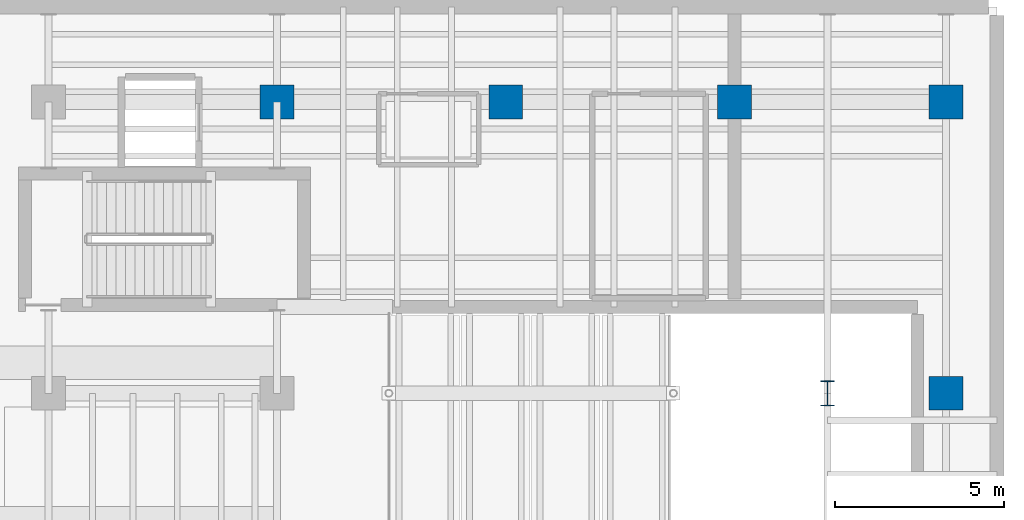
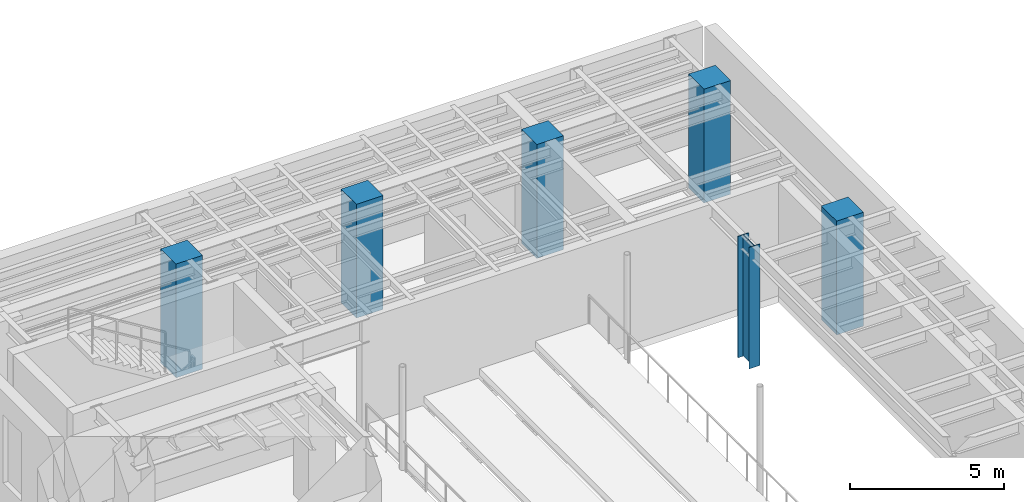
# One storey, part 6 of 24: 6 columns.
"""IFC4 building model written with IfcOpenShell, lengths in metres."""

from ifc_helpers import new_model, si_unit, direction, frame, origin, origin_2d, place, context, subcontext, project, spatial, rectangle, i_section, extrude, material, material_profile, profile_set, type_object, element, save


model = new_model("IFC4")

# Units and contexts
model_context = context("Model", 3, precision=1e-05, world=origin(), true_north=direction((0.0, 1.0)))
body_context = subcontext(model_context, "Body", "Model", "MODEL_VIEW")
ifc_project = project(units=[si_unit("LENGTHUNIT", "METRE"), si_unit("AREAUNIT", "SQUARE_METRE"), si_unit("VOLUMEUNIT", "CUBIC_METRE"), si_unit("PLANEANGLEUNIT", "RADIAN"), si_unit("MASSUNIT", "GRAM", prefix="KILO")], contexts=[model_context])

# Site, building, storey
site_placement = place(None, origin())
site = spatial("IfcSite", under=ifc_project, at=site_placement, CompositionType="ELEMENT")
building_placement = place(site_placement, origin())
building = spatial("IfcBuilding", under=site, at=building_placement, Name="Korentha Bioscience Tower", CompositionType="ELEMENT")
storey_placement = place(building_placement, frame((0.0, 0.0, 5.39990234375)))
storey = spatial("IfcBuildingStorey", under=building, at=storey_placement, Name="L01", CompositionType="ELEMENT", Elevation=5.39990234375)

# Columns
ifc_material_1 = material(Name="Steel S355", Category="steel")
ifc_material_profile_1 = material_profile(ifc_material_1, i_section(OverallWidth=0.39990234375, OverallDepth=0.75, WebThickness=0.01611328125, FlangeThickness=0.028076171875, at=origin_2d()), Name="Steel S355")
ifc_profile_set_1 = profile_set([ifc_material_profile_1], Name="Steel S355 (TC-02)")
column_type_1 = type_object("IfcColumnType", Name="Theatre Fly-Tower Column CVS 750x256", PredefinedType="COLUMN", material=ifc_profile_set_1)
column_placement = place(storey_placement, frame((89.5, 35.60009765625, -0.2998046875), z_axis=(0.0, 0.0, 1.0), x_axis=(1.0, 0.0, 0.0)))
element("IfcColumn", 1, at=column_placement, inside=storey, type_object=column_type_1, Name="L01 Fly-Tower Steel Column N", PredefinedType="COLUMN", context=body_context, shape_type="SweptSolid", body=[
    extrude(i_section(OverallWidth=0.39990234375, OverallDepth=0.75, WebThickness=0.01611328125, FlangeThickness=0.028076171875, at=origin_2d()), origin(), (0.0, 0.0, 1.0), 4.7998046875),
])
ifc_material_2 = material(Name="Concrete C50", Category="concrete")
ifc_material_profile_2 = material_profile(ifc_material_2, rectangle(XDim=1.0, YDim=1.0, at=origin_2d()), Name="Concrete C50")
ifc_profile_set_2 = profile_set([ifc_material_profile_2], Name="Concrete C50 (TC-01)")
column_type_2 = type_object("IfcColumnType", Name="Theatre Primary Column RC 1000x1000", PredefinedType="COLUMN", material=ifc_profile_set_2)
for number, where, z_axis, x_axis, name in (
    (2, (73.25, 44.199951171875, 0.0), (0.0, 0.0, 1.0), (1.0, 0.0, 0.0), "L01 Theatre Column 2-5"),
    (3, (80.0, 44.199951171875, 0.0), (0.0, 0.0, 1.0), (1.0, 0.0, 0.0), "L01 Theatre Column 3-5"),
    (4, (86.75, 44.199951171875, 0.0), (0.0, 0.0, 1.0), (1.0, 0.0, 0.0), "L01 Theatre Column 4-5"),
    (5, (93.0, 35.60009765625, 0.0), (0.0, 0.0, 1.0), (1.0, 0.0, 0.0), "L01 Theatre Column 5-4"),
    (6, (93.0, 44.199951171875, 0.0), (0.0, 0.0, 1.0), (1.0, 0.0, 0.0), "L01 Theatre Column 5-5"),
):
    element("IfcColumn", number, at=place(storey_placement, frame(where, z_axis=z_axis, x_axis=x_axis)), inside=storey, type_object=column_type_2, Name=name, PredefinedType="COLUMN", context=body_context, shape_type="SweptSolid", body=[
        extrude(rectangle(XDim=1.0, YDim=1.0, at=origin_2d()), origin(), (0.0, 0.0, 1.0), 4.5),
    ])

save(model, "model.ifc")
